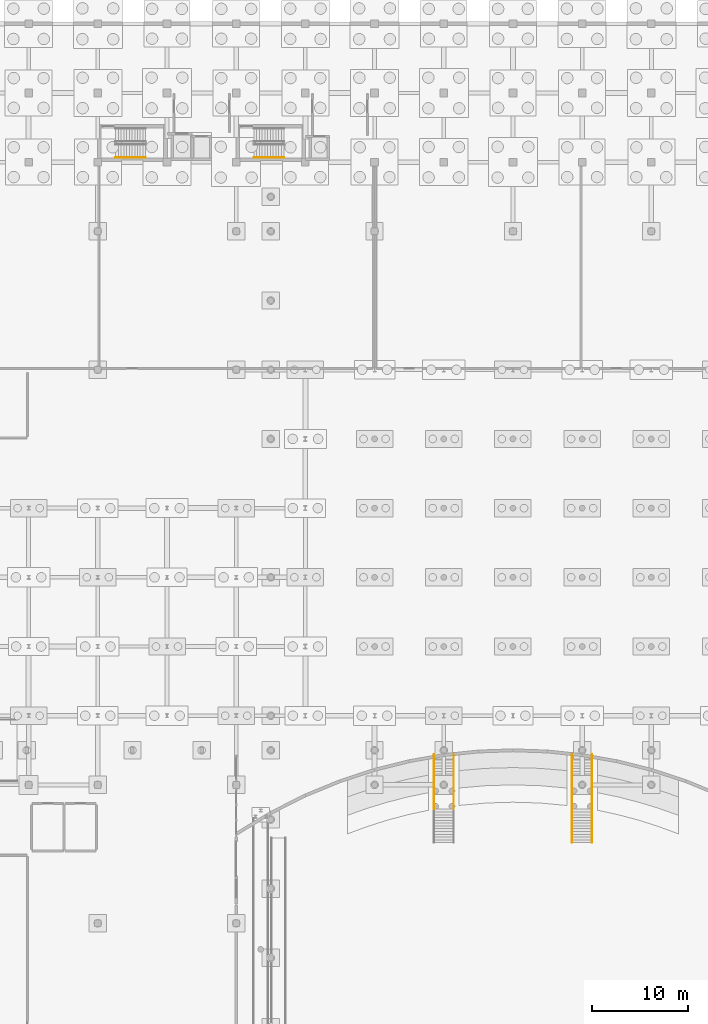
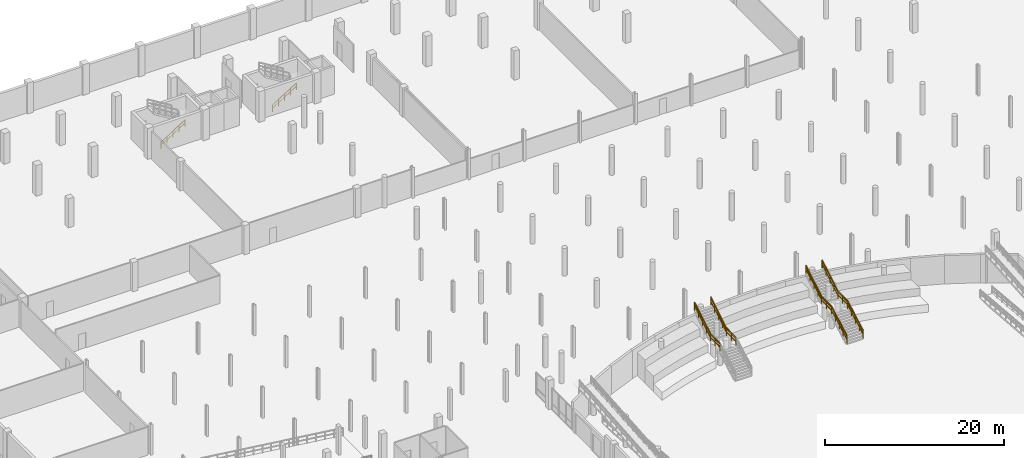
# One storey, part 52 of 56: 22 railings.
"""IFC4 building model written with IfcOpenShell, lengths in metres."""

from ifc_helpers import new_model, si_unit, direction, frame, origin, origin_2d, place, context, subcontext, project, spatial, rectangle, extrude, material, type_object, element, save


model = new_model("IFC4")

# Units and contexts
model_context = context("Model", 3, precision=1e-05, world=origin(), true_north=direction((0.0, 1.0)))
body_context = subcontext(model_context, "Body", "Model", "MODEL_VIEW")
ifc_project = project(units=[si_unit("LENGTHUNIT", "METRE"), si_unit("AREAUNIT", "SQUARE_METRE"), si_unit("VOLUMEUNIT", "CUBIC_METRE"), si_unit("PLANEANGLEUNIT", "RADIAN"), si_unit("MASSUNIT", "GRAM", prefix="KILO")], contexts=[model_context])

# Site, building, storey
site_placement = place(None, origin())
site = spatial("IfcSite", under=ifc_project, at=site_placement, CompositionType="ELEMENT")
building_placement = place(site_placement, origin())
building = spatial("IfcBuilding", under=site, at=building_placement, Name="Suanplinth Sawtooth Commons", CompositionType="ELEMENT")
storey_placement = place(building_placement, frame((0.0, 0.0, -4.199951171875)))
storey = spatial("IfcBuildingStorey", under=building, at=storey_placement, Name="B1", CompositionType="ELEMENT", Elevation=-4.199951171875)

# Railings
ifc_material = material(Name="Stainless steel Grade 304", Category="steel")
railing_type_1 = type_object("IfcRailingType", Name="GR-04", PredefinedType="GUARDRAIL", material=ifc_material)
railing_1_placement = place(storey_placement, frame((78.159912109375, 40.669189453125, 2.099853515625)))
element("IfcRailing", 1, at=railing_1_placement, inside=storey, type_object=railing_type_1, Name="Forecourt Stair Guard 1-1-2", PredefinedType="GUARDRAIL", context=body_context, shape_type="SweptSolid", body=[
    extrude(rectangle(XDim=0.048095703125, YDim=0.048095703125, at=origin_2d()), frame((0.0, 0.0, 1.076171875), z_axis=(0.0, 1.0, 0.0), x_axis=(-1.0, 0.0, 0.0)), (0.0, 0.0, 1.0), 2.199951171875),
    extrude(rectangle(XDim=0.03369140625, YDim=0.03369140625, at=origin_2d()), frame((0.0, 0.0, 0.550048828125), z_axis=(0.0, 1.0, 0.0), x_axis=(-1.0, 0.0, 0.0)), (0.0, 0.0, 1.0), 2.199951171875),
    extrude(rectangle(XDim=0.0419921875, YDim=0.0419921875, at=origin_2d()), origin(), (0.0, 0.0, 1.0), 1.052001953125),
    extrude(rectangle(XDim=0.0419921875, YDim=0.0419921875, at=origin_2d()), frame((0.0, 1.10009765625, 0.0)), (0.0, 0.0, 1.0), 1.052001953125),
    extrude(rectangle(XDim=0.0419921875, YDim=0.0419921875, at=origin_2d()), frame((0.0, 2.199951171875, 0.0)), (0.0, 0.0, 1.0), 1.052001953125),
])
railing_2_placement = place(storey_placement, frame((78.159912109375, 42.869140625, 2.099853515625)))
element("IfcRailing", 2, at=railing_2_placement, inside=storey, type_object=railing_type_1, Name="Forecourt Stair Guard 1-1-3", PredefinedType="GUARDRAIL", context=body_context, shape_type="SweptSolid", body=[
    extrude(rectangle(XDim=0.048095703125, YDim=0.048095703125, at=origin_2d()), frame((0.0, 0.0, 1.076171875), z_axis=(0.0, 0.856175749803, 0.516684706034), x_axis=(-1.0, 0.0, 0.0)), (0.0, 0.0, 1.0), 4.064453125),
    extrude(rectangle(XDim=0.03369140625, YDim=0.03369140625, at=origin_2d()), frame((0.0, 0.0, 0.550048828125), z_axis=(0.0, 0.856175749803, 0.516684706034), x_axis=(-1.0, 0.0, 0.0)), (0.0, 0.0, 1.0), 4.064453125),
    extrude(rectangle(XDim=0.0419921875, YDim=0.0419921875, at=origin_2d()), origin(), (0.0, 0.0, 1.0), 1.052001953125),
    extrude(rectangle(XDim=0.0419921875, YDim=0.0419921875, at=origin_2d()), frame((0.0, 0.8701171875, 0.52490234375)), (0.0, 0.0, 1.0), 1.052001953125),
    extrude(rectangle(XDim=0.0419921875, YDim=0.0419921875, at=origin_2d()), frame((0.0, 1.739990234375, 1.050048828125)), (0.0, 0.0, 1.0), 1.052001953125),
    extrude(rectangle(XDim=0.0419921875, YDim=0.0419921875, at=origin_2d()), frame((0.0, 2.60986328125, 1.5751953125)), (0.0, 0.0, 1.0), 1.052001953125),
    extrude(rectangle(XDim=0.0419921875, YDim=0.0419921875, at=origin_2d()), frame((0.0, 3.47998046875, 2.10009765625)), (0.0, 0.0, 1.0), 1.052001953125),
])
railing_3_placement = place(storey_placement, frame((80.239990234375, 40.669189453125, 2.099853515625)))
element("IfcRailing", 3, at=railing_3_placement, inside=storey, type_object=railing_type_1, Name="Forecourt Stair Guard 1-2-2", PredefinedType="GUARDRAIL", context=body_context, shape_type="SweptSolid", body=[
    extrude(rectangle(XDim=0.048095703125, YDim=0.048095703125, at=origin_2d()), frame((0.0, 0.0, 1.076171875), z_axis=(0.0, 1.0, 0.0), x_axis=(-1.0, 0.0, 0.0)), (0.0, 0.0, 1.0), 2.199951171875),
    extrude(rectangle(XDim=0.03369140625, YDim=0.03369140625, at=origin_2d()), frame((0.0, 0.0, 0.550048828125), z_axis=(0.0, 1.0, 0.0), x_axis=(-1.0, 0.0, 0.0)), (0.0, 0.0, 1.0), 2.199951171875),
    extrude(rectangle(XDim=0.0419921875, YDim=0.0419921875, at=origin_2d()), origin(), (0.0, 0.0, 1.0), 1.052001953125),
    extrude(rectangle(XDim=0.0419921875, YDim=0.0419921875, at=origin_2d()), frame((0.0, 1.10009765625, 0.0)), (0.0, 0.0, 1.0), 1.052001953125),
    extrude(rectangle(XDim=0.0419921875, YDim=0.0419921875, at=origin_2d()), frame((0.0, 2.199951171875, 0.0)), (0.0, 0.0, 1.0), 1.052001953125),
])
railing_4_placement = place(storey_placement, frame((80.239990234375, 42.869140625, 2.099853515625)))
element("IfcRailing", 4, at=railing_4_placement, inside=storey, type_object=railing_type_1, Name="Forecourt Stair Guard 1-2-3", PredefinedType="GUARDRAIL", context=body_context, shape_type="SweptSolid", body=[
    extrude(rectangle(XDim=0.048095703125, YDim=0.048095703125, at=origin_2d()), frame((0.0, 0.0, 1.076171875), z_axis=(0.0, 0.856175749803, 0.516684706034), x_axis=(-1.0, 0.0, 0.0)), (0.0, 0.0, 1.0), 4.064453125),
    extrude(rectangle(XDim=0.03369140625, YDim=0.03369140625, at=origin_2d()), frame((0.0, 0.0, 0.550048828125), z_axis=(0.0, 0.856175749803, 0.516684706034), x_axis=(-1.0, 0.0, 0.0)), (0.0, 0.0, 1.0), 4.064453125),
    extrude(rectangle(XDim=0.0419921875, YDim=0.0419921875, at=origin_2d()), origin(), (0.0, 0.0, 1.0), 1.052001953125),
    extrude(rectangle(XDim=0.0419921875, YDim=0.0419921875, at=origin_2d()), frame((0.0, 0.8701171875, 0.52490234375)), (0.0, 0.0, 1.0), 1.052001953125),
    extrude(rectangle(XDim=0.0419921875, YDim=0.0419921875, at=origin_2d()), frame((0.0, 1.739990234375, 1.050048828125)), (0.0, 0.0, 1.0), 1.052001953125),
    extrude(rectangle(XDim=0.0419921875, YDim=0.0419921875, at=origin_2d()), frame((0.0, 2.60986328125, 1.5751953125)), (0.0, 0.0, 1.0), 1.052001953125),
    extrude(rectangle(XDim=0.0419921875, YDim=0.0419921875, at=origin_2d()), frame((0.0, 3.47998046875, 2.10009765625)), (0.0, 0.0, 1.0), 1.052001953125),
])
railing_5_placement = place(storey_placement, frame((92.56005859375, 37.189208984375, 0.161376953125)))
element("IfcRailing", 5, at=railing_5_placement, inside=storey, type_object=railing_type_1, Name="Forecourt Stair Guard 2-1-1", PredefinedType="GUARDRAIL", context=body_context, shape_type="SweptSolid", body=[
    extrude(rectangle(XDim=0.048095703125, YDim=0.048095703125, at=origin_2d()), frame((0.0, 0.0, 1.076171875), z_axis=(0.0, 0.87360743253, 0.486631332559), x_axis=(-1.0, 0.0, 0.0)), (0.0, 0.0, 1.0), 3.9833984375),
    extrude(rectangle(XDim=0.03369140625, YDim=0.03369140625, at=origin_2d()), frame((0.0, 0.0, 0.550048828125), z_axis=(0.0, 0.87360743253, 0.486631332559), x_axis=(-1.0, 0.0, 0.0)), (0.0, 0.0, 1.0), 3.9833984375),
    extrude(rectangle(XDim=0.0419921875, YDim=0.0419921875, at=origin_2d()), origin(), (0.0, 0.0, 1.0), 1.052001953125),
    extrude(rectangle(XDim=0.0419921875, YDim=0.0419921875, at=origin_2d()), frame((0.0, 0.8701171875, 0.484619140625)), (0.0, 0.0, 1.0), 1.052001953125),
    extrude(rectangle(XDim=0.0419921875, YDim=0.0419921875, at=origin_2d()), frame((0.0, 1.739990234375, 0.96923828125)), (0.0, 0.0, 1.0), 1.052001953125),
    extrude(rectangle(XDim=0.0419921875, YDim=0.0419921875, at=origin_2d()), frame((0.0, 2.60986328125, 1.453857421875)), (0.0, 0.0, 1.0), 1.052001953125),
    extrude(rectangle(XDim=0.0419921875, YDim=0.0419921875, at=origin_2d()), frame((0.0, 3.47998046875, 1.9384765625)), (0.0, 0.0, 1.0), 1.052001953125),
])
railing_6_placement = place(storey_placement, frame((92.56005859375, 40.669189453125, 2.099853515625)))
element("IfcRailing", 6, at=railing_6_placement, inside=storey, type_object=railing_type_1, Name="Forecourt Stair Guard 2-1-2", PredefinedType="GUARDRAIL", context=body_context, shape_type="SweptSolid", body=[
    extrude(rectangle(XDim=0.048095703125, YDim=0.048095703125, at=origin_2d()), frame((0.0, 0.0, 1.076171875), z_axis=(0.0, 1.0, 0.0), x_axis=(-1.0, 0.0, 0.0)), (0.0, 0.0, 1.0), 2.199951171875),
    extrude(rectangle(XDim=0.03369140625, YDim=0.03369140625, at=origin_2d()), frame((0.0, 0.0, 0.550048828125), z_axis=(0.0, 1.0, 0.0), x_axis=(-1.0, 0.0, 0.0)), (0.0, 0.0, 1.0), 2.199951171875),
    extrude(rectangle(XDim=0.0419921875, YDim=0.0419921875, at=origin_2d()), origin(), (0.0, 0.0, 1.0), 1.052001953125),
    extrude(rectangle(XDim=0.0419921875, YDim=0.0419921875, at=origin_2d()), frame((0.0, 1.10009765625, 0.0)), (0.0, 0.0, 1.0), 1.052001953125),
    extrude(rectangle(XDim=0.0419921875, YDim=0.0419921875, at=origin_2d()), frame((0.0, 2.199951171875, 0.0)), (0.0, 0.0, 1.0), 1.052001953125),
])
railing_7_placement = place(storey_placement, frame((92.56005859375, 42.869140625, 2.099853515625)))
element("IfcRailing", 7, at=railing_7_placement, inside=storey, type_object=railing_type_1, Name="Forecourt Stair Guard 2-1-3", PredefinedType="GUARDRAIL", context=body_context, shape_type="SweptSolid", body=[
    extrude(rectangle(XDim=0.048095703125, YDim=0.048095703125, at=origin_2d()), frame((0.0, 0.0, 1.076171875), z_axis=(0.0, 0.856175749803, 0.516684706034), x_axis=(-1.0, 0.0, 0.0)), (0.0, 0.0, 1.0), 4.064453125),
    extrude(rectangle(XDim=0.03369140625, YDim=0.03369140625, at=origin_2d()), frame((0.0, 0.0, 0.550048828125), z_axis=(0.0, 0.856175749803, 0.516684706034), x_axis=(-1.0, 0.0, 0.0)), (0.0, 0.0, 1.0), 4.064453125),
    extrude(rectangle(XDim=0.0419921875, YDim=0.0419921875, at=origin_2d()), origin(), (0.0, 0.0, 1.0), 1.052001953125),
    extrude(rectangle(XDim=0.0419921875, YDim=0.0419921875, at=origin_2d()), frame((0.0, 0.8701171875, 0.52490234375)), (0.0, 0.0, 1.0), 1.052001953125),
    extrude(rectangle(XDim=0.0419921875, YDim=0.0419921875, at=origin_2d()), frame((0.0, 1.739990234375, 1.050048828125)), (0.0, 0.0, 1.0), 1.052001953125),
    extrude(rectangle(XDim=0.0419921875, YDim=0.0419921875, at=origin_2d()), frame((0.0, 2.60986328125, 1.5751953125)), (0.0, 0.0, 1.0), 1.052001953125),
    extrude(rectangle(XDim=0.0419921875, YDim=0.0419921875, at=origin_2d()), frame((0.0, 3.47998046875, 2.10009765625)), (0.0, 0.0, 1.0), 1.052001953125),
])
railing_8_placement = place(storey_placement, frame((94.639892578125, 37.189208984375, 0.161376953125)))
element("IfcRailing", 8, at=railing_8_placement, inside=storey, type_object=railing_type_1, Name="Forecourt Stair Guard 2-2-1", PredefinedType="GUARDRAIL", context=body_context, shape_type="SweptSolid", body=[
    extrude(rectangle(XDim=0.048095703125, YDim=0.048095703125, at=origin_2d()), frame((0.0, 0.0, 1.076171875), z_axis=(0.0, 0.87360743253, 0.486631332559), x_axis=(-1.0, 0.0, 0.0)), (0.0, 0.0, 1.0), 3.9833984375),
    extrude(rectangle(XDim=0.03369140625, YDim=0.03369140625, at=origin_2d()), frame((0.0, 0.0, 0.550048828125), z_axis=(0.0, 0.87360743253, 0.486631332559), x_axis=(-1.0, 0.0, 0.0)), (0.0, 0.0, 1.0), 3.9833984375),
    extrude(rectangle(XDim=0.0419921875, YDim=0.0419921875, at=origin_2d()), origin(), (0.0, 0.0, 1.0), 1.052001953125),
    extrude(rectangle(XDim=0.0419921875, YDim=0.0419921875, at=origin_2d()), frame((0.0, 0.8701171875, 0.484619140625)), (0.0, 0.0, 1.0), 1.052001953125),
    extrude(rectangle(XDim=0.0419921875, YDim=0.0419921875, at=origin_2d()), frame((0.0, 1.739990234375, 0.96923828125)), (0.0, 0.0, 1.0), 1.052001953125),
    extrude(rectangle(XDim=0.0419921875, YDim=0.0419921875, at=origin_2d()), frame((0.0, 2.60986328125, 1.453857421875)), (0.0, 0.0, 1.0), 1.052001953125),
    extrude(rectangle(XDim=0.0419921875, YDim=0.0419921875, at=origin_2d()), frame((0.0, 3.47998046875, 1.9384765625)), (0.0, 0.0, 1.0), 1.052001953125),
])
railing_9_placement = place(storey_placement, frame((94.639892578125, 40.669189453125, 2.099853515625)))
element("IfcRailing", 9, at=railing_9_placement, inside=storey, type_object=railing_type_1, Name="Forecourt Stair Guard 2-2-2", PredefinedType="GUARDRAIL", context=body_context, shape_type="SweptSolid", body=[
    extrude(rectangle(XDim=0.048095703125, YDim=0.048095703125, at=origin_2d()), frame((0.0, 0.0, 1.076171875), z_axis=(0.0, 1.0, 0.0), x_axis=(-1.0, 0.0, 0.0)), (0.0, 0.0, 1.0), 2.199951171875),
    extrude(rectangle(XDim=0.03369140625, YDim=0.03369140625, at=origin_2d()), frame((0.0, 0.0, 0.550048828125), z_axis=(0.0, 1.0, 0.0), x_axis=(-1.0, 0.0, 0.0)), (0.0, 0.0, 1.0), 2.199951171875),
    extrude(rectangle(XDim=0.0419921875, YDim=0.0419921875, at=origin_2d()), origin(), (0.0, 0.0, 1.0), 1.052001953125),
    extrude(rectangle(XDim=0.0419921875, YDim=0.0419921875, at=origin_2d()), frame((0.0, 1.10009765625, 0.0)), (0.0, 0.0, 1.0), 1.052001953125),
    extrude(rectangle(XDim=0.0419921875, YDim=0.0419921875, at=origin_2d()), frame((0.0, 2.199951171875, 0.0)), (0.0, 0.0, 1.0), 1.052001953125),
])
railing_10_placement = place(storey_placement, frame((94.639892578125, 42.869140625, 2.099853515625)))
element("IfcRailing", 10, at=railing_10_placement, inside=storey, type_object=railing_type_1, Name="Forecourt Stair Guard 2-2-3", PredefinedType="GUARDRAIL", context=body_context, shape_type="SweptSolid", body=[
    extrude(rectangle(XDim=0.048095703125, YDim=0.048095703125, at=origin_2d()), frame((0.0, 0.0, 1.076171875), z_axis=(0.0, 0.856175749803, 0.516684706034), x_axis=(-1.0, 0.0, 0.0)), (0.0, 0.0, 1.0), 4.064453125),
    extrude(rectangle(XDim=0.03369140625, YDim=0.03369140625, at=origin_2d()), frame((0.0, 0.0, 0.550048828125), z_axis=(0.0, 0.856175749803, 0.516684706034), x_axis=(-1.0, 0.0, 0.0)), (0.0, 0.0, 1.0), 4.064453125),
    extrude(rectangle(XDim=0.0419921875, YDim=0.0419921875, at=origin_2d()), origin(), (0.0, 0.0, 1.0), 1.052001953125),
    extrude(rectangle(XDim=0.0419921875, YDim=0.0419921875, at=origin_2d()), frame((0.0, 0.8701171875, 0.52490234375)), (0.0, 0.0, 1.0), 1.052001953125),
    extrude(rectangle(XDim=0.0419921875, YDim=0.0419921875, at=origin_2d()), frame((0.0, 1.739990234375, 1.050048828125)), (0.0, 0.0, 1.0), 1.052001953125),
    extrude(rectangle(XDim=0.0419921875, YDim=0.0419921875, at=origin_2d()), frame((0.0, 2.60986328125, 1.5751953125)), (0.0, 0.0, 1.0), 1.052001953125),
    extrude(rectangle(XDim=0.0419921875, YDim=0.0419921875, at=origin_2d()), frame((0.0, 3.47998046875, 2.10009765625)), (0.0, 0.0, 1.0), 1.052001953125),
])
railing_type_2 = type_object("IfcRailingType", Name="HR-01", PredefinedType="HANDRAIL", material=ifc_material)
for number, where, name in (
    (11, (45.050048828125, 108.5, 0.175048828125), "B1 ST-N1 Handrail 1"),
    (12, (59.449951171875, 108.5, 0.175048828125), "B1 ST-N2 Handrail 1"),
):
    element("IfcRailing", number, at=place(storey_placement, frame(where)), inside=storey, type_object=railing_type_2, Name=name, PredefinedType="HANDRAIL", context=body_context, shape_type="SweptSolid", body=[
        extrude(rectangle(XDim=0.048095703125, YDim=0.048095703125, at=origin_2d()), frame((0.0, 0.0, 0.8759765625), z_axis=(0.852195625947, 0.0, 0.523223293744), x_axis=(0.0, 1.0, 0.0)), (0.0, 0.0, 1.0), 3.6787109375),
        extrude(rectangle(XDim=0.03369140625, YDim=0.03369140625, at=origin_2d()), frame((0.0, 0.0, 0.449951171875), z_axis=(0.852195625947, 0.0, 0.523223293744), x_axis=(0.0, 1.0, 0.0)), (0.0, 0.0, 1.0), 3.6787109375),
        extrude(rectangle(XDim=0.0419921875, YDim=0.0419921875, at=origin_2d()), origin(), (0.0, 0.0, 1.0), 0.851806640625),
        extrude(rectangle(XDim=0.0419921875, YDim=0.0419921875, at=origin_2d()), frame((0.78369140625, 0.0, 0.481201171875)), (0.0, 0.0, 1.0), 0.851806640625),
        extrude(rectangle(XDim=0.0419921875, YDim=0.0419921875, at=origin_2d()), frame((1.5673828125, 0.0, 0.96240234375)), (0.0, 0.0, 1.0), 0.851806640625),
        extrude(rectangle(XDim=0.0419921875, YDim=0.0419921875, at=origin_2d()), frame((2.351318359375, 0.0, 1.443603515625)), (0.0, 0.0, 1.0), 0.851806640625),
        extrude(rectangle(XDim=0.0419921875, YDim=0.0419921875, at=origin_2d()), frame((3.135009765625, 0.0, 1.9248046875)), (0.0, 0.0, 1.0), 0.851806640625),
    ])
railing_11_placement = place(storey_placement, frame((78.159912109375, 40.669189453125, 2.099853515625)))
element("IfcRailing", 13, at=railing_11_placement, inside=storey, type_object=railing_type_2, Name="Forecourt Stair Handrail 1-1-2", PredefinedType="HANDRAIL", context=body_context, shape_type="SweptSolid", body=[
    extrude(rectangle(XDim=0.048095703125, YDim=0.048095703125, at=origin_2d()), frame((0.0, 0.0, 0.8759765625), z_axis=(0.0, 1.0, 0.0), x_axis=(-1.0, 0.0, 0.0)), (0.0, 0.0, 1.0), 2.199951171875),
    extrude(rectangle(XDim=0.03369140625, YDim=0.03369140625, at=origin_2d()), frame((0.0, 0.0, 0.449951171875), z_axis=(0.0, 1.0, 0.0), x_axis=(-1.0, 0.0, 0.0)), (0.0, 0.0, 1.0), 2.199951171875),
    extrude(rectangle(XDim=0.0419921875, YDim=0.0419921875, at=origin_2d()), origin(), (0.0, 0.0, 1.0), 0.851806640625),
    extrude(rectangle(XDim=0.0419921875, YDim=0.0419921875, at=origin_2d()), frame((0.0, 1.10009765625, 0.0)), (0.0, 0.0, 1.0), 0.851806640625),
    extrude(rectangle(XDim=0.0419921875, YDim=0.0419921875, at=origin_2d()), frame((0.0, 2.199951171875, 0.0)), (0.0, 0.0, 1.0), 0.851806640625),
])
railing_12_placement = place(storey_placement, frame((78.159912109375, 42.869140625, 2.099853515625)))
element("IfcRailing", 14, at=railing_12_placement, inside=storey, type_object=railing_type_2, Name="Forecourt Stair Handrail 1-1-3", PredefinedType="HANDRAIL", context=body_context, shape_type="SweptSolid", body=[
    extrude(rectangle(XDim=0.048095703125, YDim=0.048095703125, at=origin_2d()), frame((0.0, 0.0, 0.8759765625), z_axis=(0.0, 0.856175749803, 0.516684706034), x_axis=(-1.0, 0.0, 0.0)), (0.0, 0.0, 1.0), 4.064453125),
    extrude(rectangle(XDim=0.03369140625, YDim=0.03369140625, at=origin_2d()), frame((0.0, 0.0, 0.449951171875), z_axis=(0.0, 0.856175749803, 0.516684706034), x_axis=(-1.0, 0.0, 0.0)), (0.0, 0.0, 1.0), 4.064453125),
    extrude(rectangle(XDim=0.0419921875, YDim=0.0419921875, at=origin_2d()), origin(), (0.0, 0.0, 1.0), 0.851806640625),
    extrude(rectangle(XDim=0.0419921875, YDim=0.0419921875, at=origin_2d()), frame((0.0, 0.8701171875, 0.52490234375)), (0.0, 0.0, 1.0), 0.851806640625),
    extrude(rectangle(XDim=0.0419921875, YDim=0.0419921875, at=origin_2d()), frame((0.0, 1.739990234375, 1.050048828125)), (0.0, 0.0, 1.0), 0.851806640625),
    extrude(rectangle(XDim=0.0419921875, YDim=0.0419921875, at=origin_2d()), frame((0.0, 2.60986328125, 1.5751953125)), (0.0, 0.0, 1.0), 0.851806640625),
    extrude(rectangle(XDim=0.0419921875, YDim=0.0419921875, at=origin_2d()), frame((0.0, 3.47998046875, 2.10009765625)), (0.0, 0.0, 1.0), 0.851806640625),
])
railing_13_placement = place(storey_placement, frame((80.239990234375, 40.669189453125, 2.099853515625)))
element("IfcRailing", 15, at=railing_13_placement, inside=storey, type_object=railing_type_2, Name="Forecourt Stair Handrail 1-2-2", PredefinedType="HANDRAIL", context=body_context, shape_type="SweptSolid", body=[
    extrude(rectangle(XDim=0.048095703125, YDim=0.048095703125, at=origin_2d()), frame((0.0, 0.0, 0.8759765625), z_axis=(0.0, 1.0, 0.0), x_axis=(-1.0, 0.0, 0.0)), (0.0, 0.0, 1.0), 2.199951171875),
    extrude(rectangle(XDim=0.03369140625, YDim=0.03369140625, at=origin_2d()), frame((0.0, 0.0, 0.449951171875), z_axis=(0.0, 1.0, 0.0), x_axis=(-1.0, 0.0, 0.0)), (0.0, 0.0, 1.0), 2.199951171875),
    extrude(rectangle(XDim=0.0419921875, YDim=0.0419921875, at=origin_2d()), origin(), (0.0, 0.0, 1.0), 0.851806640625),
    extrude(rectangle(XDim=0.0419921875, YDim=0.0419921875, at=origin_2d()), frame((0.0, 1.10009765625, 0.0)), (0.0, 0.0, 1.0), 0.851806640625),
    extrude(rectangle(XDim=0.0419921875, YDim=0.0419921875, at=origin_2d()), frame((0.0, 2.199951171875, 0.0)), (0.0, 0.0, 1.0), 0.851806640625),
])
railing_14_placement = place(storey_placement, frame((80.239990234375, 42.869140625, 2.099853515625)))
element("IfcRailing", 16, at=railing_14_placement, inside=storey, type_object=railing_type_2, Name="Forecourt Stair Handrail 1-2-3", PredefinedType="HANDRAIL", context=body_context, shape_type="SweptSolid", body=[
    extrude(rectangle(XDim=0.048095703125, YDim=0.048095703125, at=origin_2d()), frame((0.0, 0.0, 0.8759765625), z_axis=(0.0, 0.856175749803, 0.516684706034), x_axis=(-1.0, 0.0, 0.0)), (0.0, 0.0, 1.0), 4.064453125),
    extrude(rectangle(XDim=0.03369140625, YDim=0.03369140625, at=origin_2d()), frame((0.0, 0.0, 0.449951171875), z_axis=(0.0, 0.856175749803, 0.516684706034), x_axis=(-1.0, 0.0, 0.0)), (0.0, 0.0, 1.0), 4.064453125),
    extrude(rectangle(XDim=0.0419921875, YDim=0.0419921875, at=origin_2d()), origin(), (0.0, 0.0, 1.0), 0.851806640625),
    extrude(rectangle(XDim=0.0419921875, YDim=0.0419921875, at=origin_2d()), frame((0.0, 0.8701171875, 0.52490234375)), (0.0, 0.0, 1.0), 0.851806640625),
    extrude(rectangle(XDim=0.0419921875, YDim=0.0419921875, at=origin_2d()), frame((0.0, 1.739990234375, 1.050048828125)), (0.0, 0.0, 1.0), 0.851806640625),
    extrude(rectangle(XDim=0.0419921875, YDim=0.0419921875, at=origin_2d()), frame((0.0, 2.60986328125, 1.5751953125)), (0.0, 0.0, 1.0), 0.851806640625),
    extrude(rectangle(XDim=0.0419921875, YDim=0.0419921875, at=origin_2d()), frame((0.0, 3.47998046875, 2.10009765625)), (0.0, 0.0, 1.0), 0.851806640625),
])
railing_15_placement = place(storey_placement, frame((92.56005859375, 37.189208984375, 0.161376953125)))
element("IfcRailing", 17, at=railing_15_placement, inside=storey, type_object=railing_type_2, Name="Forecourt Stair Handrail 2-1-1", PredefinedType="HANDRAIL", context=body_context, shape_type="SweptSolid", body=[
    extrude(rectangle(XDim=0.048095703125, YDim=0.048095703125, at=origin_2d()), frame((0.0, 0.0, 0.8759765625), z_axis=(0.0, 0.87360743253, 0.486631332559), x_axis=(-1.0, 0.0, 0.0)), (0.0, 0.0, 1.0), 3.9833984375),
    extrude(rectangle(XDim=0.03369140625, YDim=0.03369140625, at=origin_2d()), frame((0.0, 0.0, 0.449951171875), z_axis=(0.0, 0.87360743253, 0.486631332559), x_axis=(-1.0, 0.0, 0.0)), (0.0, 0.0, 1.0), 3.9833984375),
    extrude(rectangle(XDim=0.0419921875, YDim=0.0419921875, at=origin_2d()), origin(), (0.0, 0.0, 1.0), 0.851806640625),
    extrude(rectangle(XDim=0.0419921875, YDim=0.0419921875, at=origin_2d()), frame((0.0, 0.8701171875, 0.484619140625)), (0.0, 0.0, 1.0), 0.851806640625),
    extrude(rectangle(XDim=0.0419921875, YDim=0.0419921875, at=origin_2d()), frame((0.0, 1.739990234375, 0.96923828125)), (0.0, 0.0, 1.0), 0.851806640625),
    extrude(rectangle(XDim=0.0419921875, YDim=0.0419921875, at=origin_2d()), frame((0.0, 2.60986328125, 1.453857421875)), (0.0, 0.0, 1.0), 0.851806640625),
    extrude(rectangle(XDim=0.0419921875, YDim=0.0419921875, at=origin_2d()), frame((0.0, 3.47998046875, 1.9384765625)), (0.0, 0.0, 1.0), 0.851806640625),
])
railing_16_placement = place(storey_placement, frame((92.56005859375, 40.669189453125, 2.099853515625)))
element("IfcRailing", 18, at=railing_16_placement, inside=storey, type_object=railing_type_2, Name="Forecourt Stair Handrail 2-1-2", PredefinedType="HANDRAIL", context=body_context, shape_type="SweptSolid", body=[
    extrude(rectangle(XDim=0.048095703125, YDim=0.048095703125, at=origin_2d()), frame((0.0, 0.0, 0.8759765625), z_axis=(0.0, 1.0, 0.0), x_axis=(-1.0, 0.0, 0.0)), (0.0, 0.0, 1.0), 2.199951171875),
    extrude(rectangle(XDim=0.03369140625, YDim=0.03369140625, at=origin_2d()), frame((0.0, 0.0, 0.449951171875), z_axis=(0.0, 1.0, 0.0), x_axis=(-1.0, 0.0, 0.0)), (0.0, 0.0, 1.0), 2.199951171875),
    extrude(rectangle(XDim=0.0419921875, YDim=0.0419921875, at=origin_2d()), origin(), (0.0, 0.0, 1.0), 0.851806640625),
    extrude(rectangle(XDim=0.0419921875, YDim=0.0419921875, at=origin_2d()), frame((0.0, 1.10009765625, 0.0)), (0.0, 0.0, 1.0), 0.851806640625),
    extrude(rectangle(XDim=0.0419921875, YDim=0.0419921875, at=origin_2d()), frame((0.0, 2.199951171875, 0.0)), (0.0, 0.0, 1.0), 0.851806640625),
])
railing_17_placement = place(storey_placement, frame((92.56005859375, 42.869140625, 2.099853515625)))
element("IfcRailing", 19, at=railing_17_placement, inside=storey, type_object=railing_type_2, Name="Forecourt Stair Handrail 2-1-3", PredefinedType="HANDRAIL", context=body_context, shape_type="SweptSolid", body=[
    extrude(rectangle(XDim=0.048095703125, YDim=0.048095703125, at=origin_2d()), frame((0.0, 0.0, 0.8759765625), z_axis=(0.0, 0.856175749803, 0.516684706034), x_axis=(-1.0, 0.0, 0.0)), (0.0, 0.0, 1.0), 4.064453125),
    extrude(rectangle(XDim=0.03369140625, YDim=0.03369140625, at=origin_2d()), frame((0.0, 0.0, 0.449951171875), z_axis=(0.0, 0.856175749803, 0.516684706034), x_axis=(-1.0, 0.0, 0.0)), (0.0, 0.0, 1.0), 4.064453125),
    extrude(rectangle(XDim=0.0419921875, YDim=0.0419921875, at=origin_2d()), origin(), (0.0, 0.0, 1.0), 0.851806640625),
    extrude(rectangle(XDim=0.0419921875, YDim=0.0419921875, at=origin_2d()), frame((0.0, 0.8701171875, 0.52490234375)), (0.0, 0.0, 1.0), 0.851806640625),
    extrude(rectangle(XDim=0.0419921875, YDim=0.0419921875, at=origin_2d()), frame((0.0, 1.739990234375, 1.050048828125)), (0.0, 0.0, 1.0), 0.851806640625),
    extrude(rectangle(XDim=0.0419921875, YDim=0.0419921875, at=origin_2d()), frame((0.0, 2.60986328125, 1.5751953125)), (0.0, 0.0, 1.0), 0.851806640625),
    extrude(rectangle(XDim=0.0419921875, YDim=0.0419921875, at=origin_2d()), frame((0.0, 3.47998046875, 2.10009765625)), (0.0, 0.0, 1.0), 0.851806640625),
])
railing_18_placement = place(storey_placement, frame((94.639892578125, 37.189208984375, 0.161376953125)))
element("IfcRailing", 20, at=railing_18_placement, inside=storey, type_object=railing_type_2, Name="Forecourt Stair Handrail 2-2-1", PredefinedType="HANDRAIL", context=body_context, shape_type="SweptSolid", body=[
    extrude(rectangle(XDim=0.048095703125, YDim=0.048095703125, at=origin_2d()), frame((0.0, 0.0, 0.8759765625), z_axis=(0.0, 0.87360743253, 0.486631332559), x_axis=(-1.0, 0.0, 0.0)), (0.0, 0.0, 1.0), 3.9833984375),
    extrude(rectangle(XDim=0.03369140625, YDim=0.03369140625, at=origin_2d()), frame((0.0, 0.0, 0.449951171875), z_axis=(0.0, 0.87360743253, 0.486631332559), x_axis=(-1.0, 0.0, 0.0)), (0.0, 0.0, 1.0), 3.9833984375),
    extrude(rectangle(XDim=0.0419921875, YDim=0.0419921875, at=origin_2d()), origin(), (0.0, 0.0, 1.0), 0.851806640625),
    extrude(rectangle(XDim=0.0419921875, YDim=0.0419921875, at=origin_2d()), frame((0.0, 0.8701171875, 0.484619140625)), (0.0, 0.0, 1.0), 0.851806640625),
    extrude(rectangle(XDim=0.0419921875, YDim=0.0419921875, at=origin_2d()), frame((0.0, 1.739990234375, 0.96923828125)), (0.0, 0.0, 1.0), 0.851806640625),
    extrude(rectangle(XDim=0.0419921875, YDim=0.0419921875, at=origin_2d()), frame((0.0, 2.60986328125, 1.453857421875)), (0.0, 0.0, 1.0), 0.851806640625),
    extrude(rectangle(XDim=0.0419921875, YDim=0.0419921875, at=origin_2d()), frame((0.0, 3.47998046875, 1.9384765625)), (0.0, 0.0, 1.0), 0.851806640625),
])
railing_19_placement = place(storey_placement, frame((94.639892578125, 40.669189453125, 2.099853515625)))
element("IfcRailing", 21, at=railing_19_placement, inside=storey, type_object=railing_type_2, Name="Forecourt Stair Handrail 2-2-2", PredefinedType="HANDRAIL", context=body_context, shape_type="SweptSolid", body=[
    extrude(rectangle(XDim=0.048095703125, YDim=0.048095703125, at=origin_2d()), frame((0.0, 0.0, 0.8759765625), z_axis=(0.0, 1.0, 0.0), x_axis=(-1.0, 0.0, 0.0)), (0.0, 0.0, 1.0), 2.199951171875),
    extrude(rectangle(XDim=0.03369140625, YDim=0.03369140625, at=origin_2d()), frame((0.0, 0.0, 0.449951171875), z_axis=(0.0, 1.0, 0.0), x_axis=(-1.0, 0.0, 0.0)), (0.0, 0.0, 1.0), 2.199951171875),
    extrude(rectangle(XDim=0.0419921875, YDim=0.0419921875, at=origin_2d()), origin(), (0.0, 0.0, 1.0), 0.851806640625),
    extrude(rectangle(XDim=0.0419921875, YDim=0.0419921875, at=origin_2d()), frame((0.0, 1.10009765625, 0.0)), (0.0, 0.0, 1.0), 0.851806640625),
    extrude(rectangle(XDim=0.0419921875, YDim=0.0419921875, at=origin_2d()), frame((0.0, 2.199951171875, 0.0)), (0.0, 0.0, 1.0), 0.851806640625),
])
railing_20_placement = place(storey_placement, frame((94.639892578125, 42.869140625, 2.099853515625)))
element("IfcRailing", 22, at=railing_20_placement, inside=storey, type_object=railing_type_2, Name="Forecourt Stair Handrail 2-2-3", PredefinedType="HANDRAIL", context=body_context, shape_type="SweptSolid", body=[
    extrude(rectangle(XDim=0.048095703125, YDim=0.048095703125, at=origin_2d()), frame((0.0, 0.0, 0.8759765625), z_axis=(0.0, 0.856175749803, 0.516684706034), x_axis=(-1.0, 0.0, 0.0)), (0.0, 0.0, 1.0), 4.064453125),
    extrude(rectangle(XDim=0.03369140625, YDim=0.03369140625, at=origin_2d()), frame((0.0, 0.0, 0.449951171875), z_axis=(0.0, 0.856175749803, 0.516684706034), x_axis=(-1.0, 0.0, 0.0)), (0.0, 0.0, 1.0), 4.064453125),
    extrude(rectangle(XDim=0.0419921875, YDim=0.0419921875, at=origin_2d()), origin(), (0.0, 0.0, 1.0), 0.851806640625),
    extrude(rectangle(XDim=0.0419921875, YDim=0.0419921875, at=origin_2d()), frame((0.0, 0.8701171875, 0.52490234375)), (0.0, 0.0, 1.0), 0.851806640625),
    extrude(rectangle(XDim=0.0419921875, YDim=0.0419921875, at=origin_2d()), frame((0.0, 1.739990234375, 1.050048828125)), (0.0, 0.0, 1.0), 0.851806640625),
    extrude(rectangle(XDim=0.0419921875, YDim=0.0419921875, at=origin_2d()), frame((0.0, 2.60986328125, 1.5751953125)), (0.0, 0.0, 1.0), 0.851806640625),
    extrude(rectangle(XDim=0.0419921875, YDim=0.0419921875, at=origin_2d()), frame((0.0, 3.47998046875, 2.10009765625)), (0.0, 0.0, 1.0), 0.851806640625),
])

save(model, "model.ifc")
